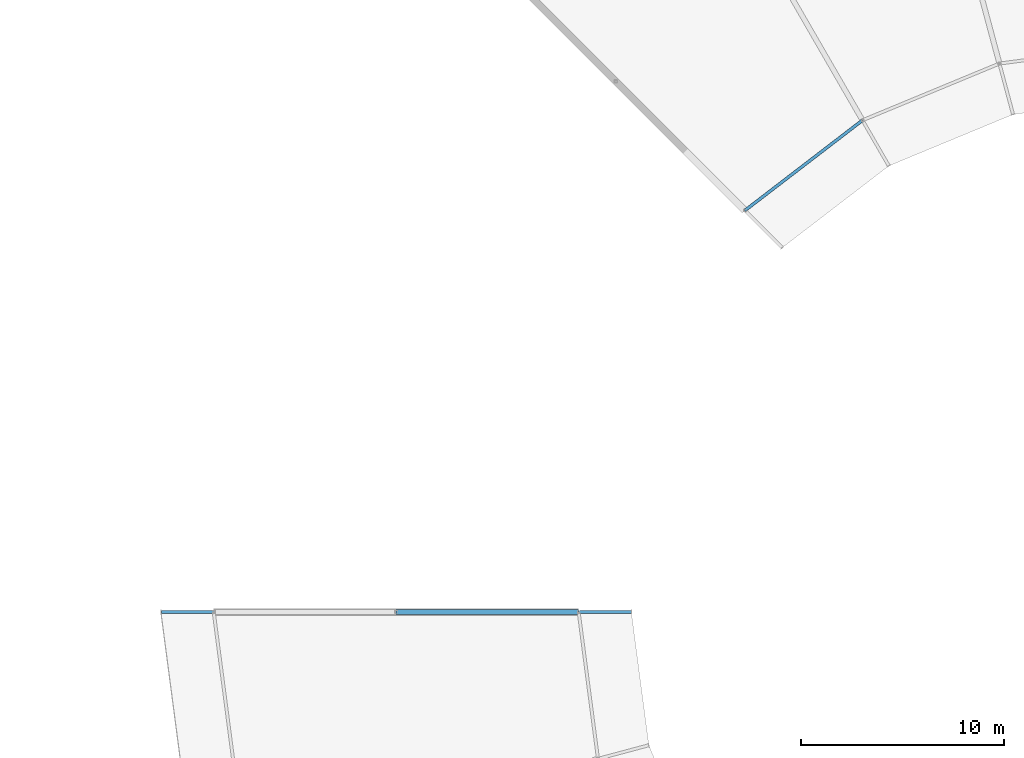
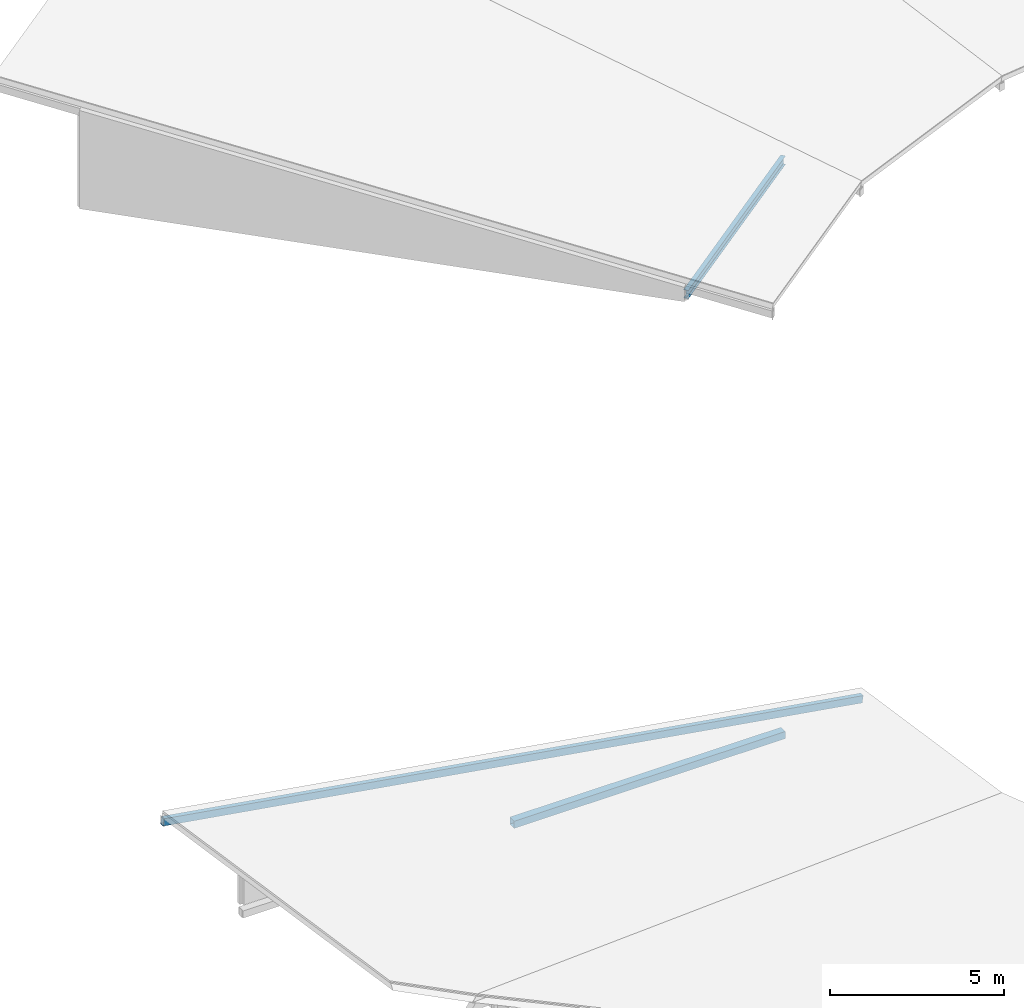
# One storey, part 11 of 70: 2 members, 1 beam.
"""IFC4 building model written with IfcOpenShell, lengths in metres."""

from ifc_helpers import new_model, si_unit, direction, frame, origin, origin_2d, place, context, subcontext, project, spatial, hollow_rectangle, i_section, extrude, material, material_profile, profile_set, type_object, element, save


model = new_model("IFC4")

# Units and contexts
model_context = context("Model", 3, precision=1e-05, world=origin(), true_north=direction((0.0, 1.0)))
body_context = subcontext(model_context, "Body", "Model", "MODEL_VIEW")
ifc_project = project(units=[si_unit("LENGTHUNIT", "METRE"), si_unit("AREAUNIT", "SQUARE_METRE"), si_unit("VOLUMEUNIT", "CUBIC_METRE"), si_unit("PLANEANGLEUNIT", "RADIAN"), si_unit("MASSUNIT", "GRAM", prefix="KILO")], contexts=[model_context])

# Site, building, storey
site_placement = place(None, origin())
site = spatial("IfcSite", under=ifc_project, at=site_placement, CompositionType="ELEMENT")
building_placement = place(site_placement, origin())
building = spatial("IfcBuilding", under=site, at=building_placement, Name="Vondelvale Polytechnic", CompositionType="ELEMENT")
storey_placement = place(building_placement, frame((0.0, 0.0, 22.199951171875)))
storey = spatial("IfcBuildingStorey", under=building, at=storey_placement, Name="L05", CompositionType="ELEMENT", Elevation=22.199951171875)

# Beam
ifc_material_1 = material(Name="Steel 300PLUS (fy = 300 MPa)", Category="steel")
ifc_material_profile_1 = material_profile(ifc_material_1, i_section(OverallWidth=0.14892578125, OverallDepth=0.298095703125, WebThickness=0.005615234375, FlangeThickness=0.008056640625, FilletRadius=0.011474609375, at=origin_2d()), Name="310UB32.0")
ifc_profile_set_1 = profile_set([ifc_material_profile_1], Name="Steel 300PLUS (fy = 300 MPa)")
beam_type = type_object("IfcBeamType", Name="BM-UB310L", PredefinedType="BEAM", material=ifc_profile_set_1)
beam_placement = place(storey_placement, frame((88.0, 96.248779296875, 0.16259765625), z_axis=(-0.793358469083, -0.608754744979, 0.0), x_axis=(0.608754744979, -0.793358469083, 0.0)))
element("IfcBeam", 1, at=beam_placement, inside=storey, type_object=beam_type, Name="L05 RE B-25", PredefinedType="BEAM", context=body_context, shape_type="SweptSolid", body=[
    extrude(i_section(OverallWidth=0.14892578125, OverallDepth=0.298095703125, WebThickness=0.005615234375, FlangeThickness=0.008056640625, FilletRadius=0.011474609375, at=origin_2d()), origin(), (0.0, 0.0, 1.0), 7.3095703125),
])

# Members
ifc_material_2 = material(Name="Steel C350L0 (fy = 350 MPa)", Category="steel")
ifc_material_profile_2 = material_profile(ifc_material_2, hollow_rectangle(XDim=0.14990234375, YDim=0.25, WallThickness=0.006103515625, at=origin_2d()), Name="250x150x6.0RHS")
ifc_profile_set_2 = profile_set([ifc_material_profile_2], Name="Steel C350L0 (fy = 350 MPa)")
member_type_1 = type_object("IfcMemberType", Name="RAFTER RHS250", PredefinedType="RAFTER", material=ifc_profile_set_2)
member_1_placement = place(storey_placement, frame((53.39990234375, 72.0, 3.765869140625), z_axis=(0.986849806177, 0.0, -0.161639908586), x_axis=(0.0, 1.0, 0.0)))
element("IfcMember", 2, at=member_1_placement, inside=storey, type_object=member_type_1, Name="Ring inward-sloping rafter 12", PredefinedType="RAFTER", context=body_context, shape_type="SweptSolid", body=[
    extrude(hollow_rectangle(XDim=0.14990234375, YDim=0.25, WallThickness=0.006103515625, at=origin_2d()), origin(), (0.0, 0.0, 1.0), 23.50927734375),
])
ifc_material_profile_3 = material_profile(ifc_material_2, hollow_rectangle(XDim=0.25, YDim=0.25, WallThickness=0.009033203125, at=origin_2d()), Name="250x250x9.0SHS")
ifc_profile_set_3 = profile_set([ifc_material_profile_3], Name="Steel C350L0 (fy = 350 MPa)")
member_type_2 = type_object("IfcMemberType", Name="ROOF TRUSS CHORD 250SHS", PredefinedType="CHORD", material=ifc_profile_set_3)
member_2_placement = place(storey_placement, frame((74.0, 72.0, -0.349853515625), z_axis=(-1.0, 0.0, 0.0), x_axis=(0.0, -1.0, 0.0)))
element("IfcMember", 3, at=member_2_placement, inside=storey, type_object=member_type_2, Name="Ring workshop truss chord 12A", PredefinedType="CHORD", context=body_context, shape_type="SweptSolid", body=[
    extrude(hollow_rectangle(XDim=0.25, YDim=0.25, WallThickness=0.009033203125, at=origin_2d()), origin(), (0.0, 0.0, 1.0), 9.0),
])

save(model, "model.ifc")
